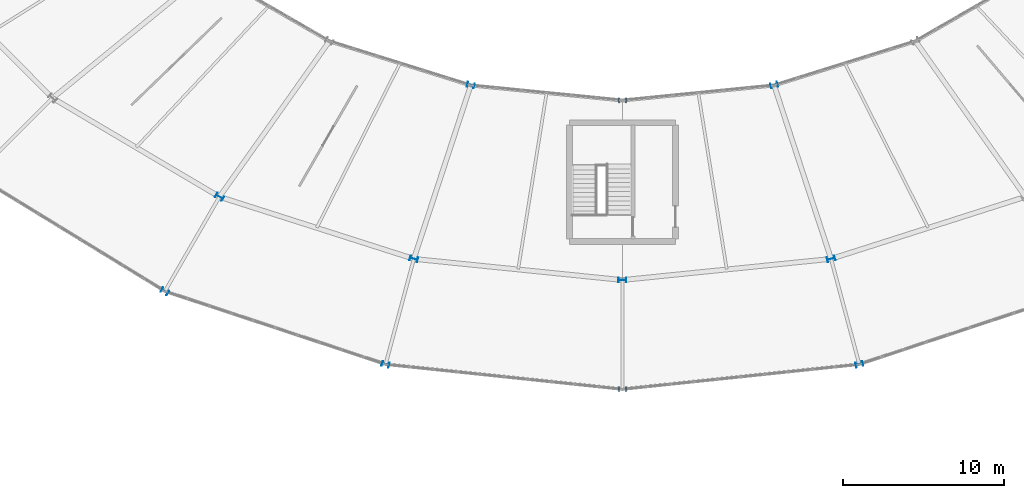
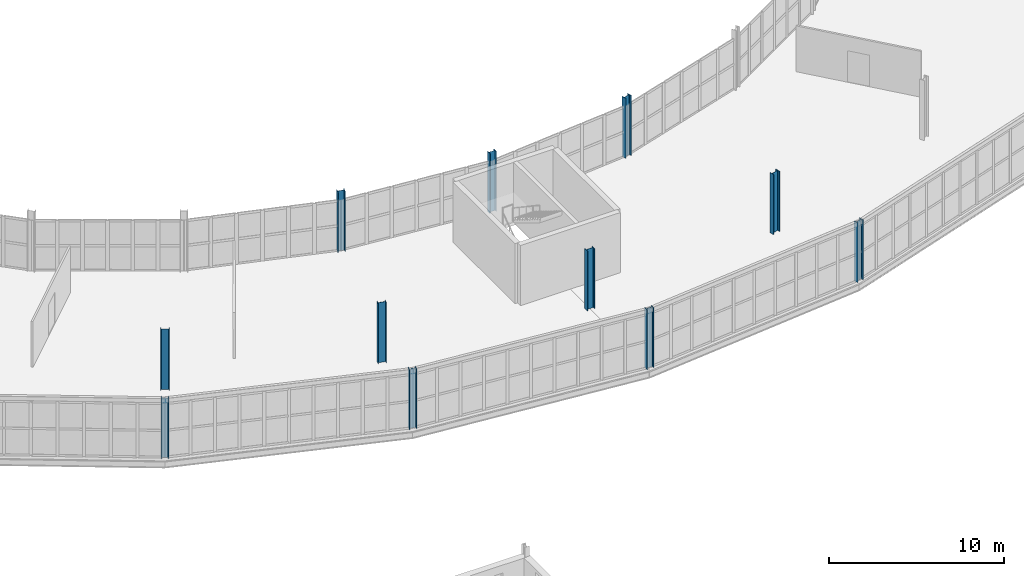
# One storey, part 7 of 161: 11 columns.
"""IFC4 building model written with IfcOpenShell, lengths in metres."""

from ifc_helpers import new_model, si_unit, direction, frame, origin, origin_2d, place, context, subcontext, project, spatial, i_section, extrude, material, material_profile, profile_set, type_object, element, save


model = new_model("IFC4")

# Units and contexts
model_context = context("Model", 3, precision=1e-05, world=origin(), true_north=direction((0.0, 1.0)))
body_context = subcontext(model_context, "Body", "Model", "MODEL_VIEW")
ifc_project = project(units=[si_unit("LENGTHUNIT", "METRE"), si_unit("AREAUNIT", "SQUARE_METRE"), si_unit("VOLUMEUNIT", "CUBIC_METRE"), si_unit("PLANEANGLEUNIT", "RADIAN"), si_unit("MASSUNIT", "GRAM", prefix="KILO")], contexts=[model_context])

# Site, building, storey
site_placement = place(None, origin())
site = spatial("IfcSite", under=ifc_project, at=site_placement, CompositionType="ELEMENT")
building_placement = place(site_placement, origin())
building = spatial("IfcBuilding", under=site, at=building_placement, Name="Kildeholm Park Wholesale Market", CompositionType="ELEMENT")
storey_placement = place(building_placement, frame((0.0, 0.0, 5.39990234375)))
storey = spatial("IfcBuildingStorey", under=building, at=storey_placement, Name="L01", CompositionType="ELEMENT", Elevation=5.39990234375)

# Columns
ifc_material = material(Name="Steel S355", Category="steel")
ifc_material_profile_1 = material_profile(ifc_material, i_section(OverallWidth=0.300048828125, OverallDepth=0.449951171875, WebThickness=0.013916015625, FlangeThickness=0.02587890625, FilletRadius=0.027099609375, at=origin_2d()), Name="HEB 450")
ifc_profile_set_1 = profile_set([ifc_material_profile_1], Name="Steel S355")
column_type_1 = type_object("IfcColumnType", Name="Column C-S06 HEB 450", PredefinedType="COLUMN", material=ifc_profile_set_1)
column_1_placement = place(storey_placement, frame((70.5, 50.095947265625, 0.0), z_axis=(0.0, 0.0, 1.0), x_axis=(-0.5, -0.866025403784, 0.0)))
element("IfcColumn", 1, at=column_1_placement, inside=storey, type_object=column_type_1, Name="Column V1-OT-16 L01 COL-0152", PredefinedType="COLUMN", context=body_context, shape_type="SweptSolid", body=[
    extrude(i_section(OverallWidth=0.300048828125, OverallDepth=0.449951171875, WebThickness=0.013916015625, FlangeThickness=0.02587890625, FilletRadius=0.027099609375, at=origin_2d()), origin(), (0.0, 0.0, 1.0), 4.18017578125),
])
column_2_placement = place(storey_placement, frame((89.552978515625, 62.93701171875, 0.0), z_axis=(0.0, 0.0, 1.0), x_axis=(-0.258819045103, -0.965925826289, 0.0)))
element("IfcColumn", 2, at=column_2_placement, inside=storey, type_object=column_type_1, Name="Column V1-IN-17 L01 COL-0155", PredefinedType="COLUMN", context=body_context, shape_type="SweptSolid", body=[
    extrude(i_section(OverallWidth=0.300048828125, OverallDepth=0.449951171875, WebThickness=0.013916015625, FlangeThickness=0.02587890625, FilletRadius=0.027099609375, at=origin_2d()), origin(), (0.0, 0.0, 1.0), 4.2001953125),
])
column_3_placement = place(storey_placement, frame((84.2470703125, 45.550048828125, 0.0), z_axis=(0.0, 0.0, 1.0), x_axis=(-0.258819045103, -0.965925826289, 0.0)))
element("IfcColumn", 3, at=column_3_placement, inside=storey, type_object=column_type_1, Name="Column V1-OT-17 L01 COL-0161", PredefinedType="COLUMN", context=body_context, shape_type="SweptSolid", body=[
    extrude(i_section(OverallWidth=0.300048828125, OverallDepth=0.449951171875, WebThickness=0.013916015625, FlangeThickness=0.02587890625, FilletRadius=0.027099609375, at=origin_2d()), origin(), (0.0, 0.0, 1.0), 4.18017578125),
])
column_4_placement = place(storey_placement, frame((99.0, 62.0, 0.0), z_axis=(0.0, 0.0, 1.0), x_axis=(0.0, -1.0, 0.0)))
element("IfcColumn", 4, at=column_4_placement, inside=storey, type_object=column_type_1, Name="Column V1-IN-18 L01 COL-0164", PredefinedType="COLUMN", context=body_context, shape_type="SweptSolid", body=[
    extrude(i_section(OverallWidth=0.300048828125, OverallDepth=0.449951171875, WebThickness=0.013916015625, FlangeThickness=0.02587890625, FilletRadius=0.027099609375, at=origin_2d()), origin(), (0.0, 0.0, 1.0), 4.2001953125),
])
column_5_placement = place(storey_placement, frame((99.0, 44.0, 0.0), z_axis=(0.0, 0.0, 1.0), x_axis=(0.0, -1.0, 0.0)))
element("IfcColumn", 5, at=column_5_placement, inside=storey, type_object=column_type_1, Name="Column V1-OT-18 L01 COL-0170", PredefinedType="COLUMN", context=body_context, shape_type="SweptSolid", body=[
    extrude(i_section(OverallWidth=0.300048828125, OverallDepth=0.449951171875, WebThickness=0.013916015625, FlangeThickness=0.02587890625, FilletRadius=0.027099609375, at=origin_2d()), origin(), (0.0, 0.0, 1.0), 4.18017578125),
])
column_6_placement = place(storey_placement, frame((108.447021484375, 62.93701171875, 0.0), z_axis=(0.0, 0.0, 1.0), x_axis=(0.258819045103, -0.965925826289, 0.0)))
element("IfcColumn", 6, at=column_6_placement, inside=storey, type_object=column_type_1, Name="Column V1-IN-19 L01 COL-0173", PredefinedType="COLUMN", context=body_context, shape_type="SweptSolid", body=[
    extrude(i_section(OverallWidth=0.300048828125, OverallDepth=0.449951171875, WebThickness=0.013916015625, FlangeThickness=0.02587890625, FilletRadius=0.027099609375, at=origin_2d()), origin(), (0.0, 0.0, 1.0), 4.2001953125),
])
column_7_placement = place(storey_placement, frame((113.7529296875, 45.550048828125, 0.0), z_axis=(0.0, 0.0, 1.0), x_axis=(0.258819045103, -0.965925826289, 0.0)))
element("IfcColumn", 7, at=column_7_placement, inside=storey, type_object=column_type_1, Name="Column V1-OT-19 L01 COL-0179", PredefinedType="COLUMN", context=body_context, shape_type="SweptSolid", body=[
    extrude(i_section(OverallWidth=0.300048828125, OverallDepth=0.449951171875, WebThickness=0.013916015625, FlangeThickness=0.02587890625, FilletRadius=0.027099609375, at=origin_2d()), origin(), (0.0, 0.0, 1.0), 4.18017578125),
])
ifc_material_profile_2 = material_profile(ifc_material, i_section(OverallWidth=0.300048828125, OverallDepth=0.5, WebThickness=0.014404296875, FlangeThickness=0.028076171875, FilletRadius=0.027099609375, at=origin_2d()), Name="HEB 500")
ifc_profile_set_2 = profile_set([ifc_material_profile_2], Name="Steel S355")
column_type_2 = type_object("IfcColumnType", Name="Column C-S07 HEB 500", PredefinedType="COLUMN", material=ifc_profile_set_2)
for number, where, z_axis, x_axis, name in (
    (8, (73.89990234375, 55.985107421875, 0.0), (0.0, 0.0, 1.0), (-0.5, -0.866025403784, 0.0), "Column V1-MD-16 L01 COL-0149"),
    (9, (86.007080078125, 52.118896484375, 0.0), (0.0, 0.0, 1.0), (-0.258819045103, -0.965925826289, 0.0), "Column V1-MD-17 L01 COL-0158"),
    (10, (99.0, 50.800048828125, 0.0), (0.0, 0.0, 1.0), (0.0, -1.0, 0.0), "Column V1-MD-18 L01 COL-0167"),
    (11, (111.992919921875, 52.118896484375, 0.0), (0.0, 0.0, 1.0), (0.258819045103, -0.965925826289, 0.0), "Column V1-MD-19 L01 COL-0176"),
):
    element("IfcColumn", number, at=place(storey_placement, frame(where, z_axis=z_axis, x_axis=x_axis)), inside=storey, type_object=column_type_2, Name=name, PredefinedType="COLUMN", context=body_context, shape_type="SweptSolid", body=[
        extrude(i_section(OverallWidth=0.300048828125, OverallDepth=0.5, WebThickness=0.014404296875, FlangeThickness=0.028076171875, FilletRadius=0.027099609375, at=origin_2d()), origin(), (0.0, 0.0, 1.0), 4.2001953125),
    ])

save(model, "model.ifc")
